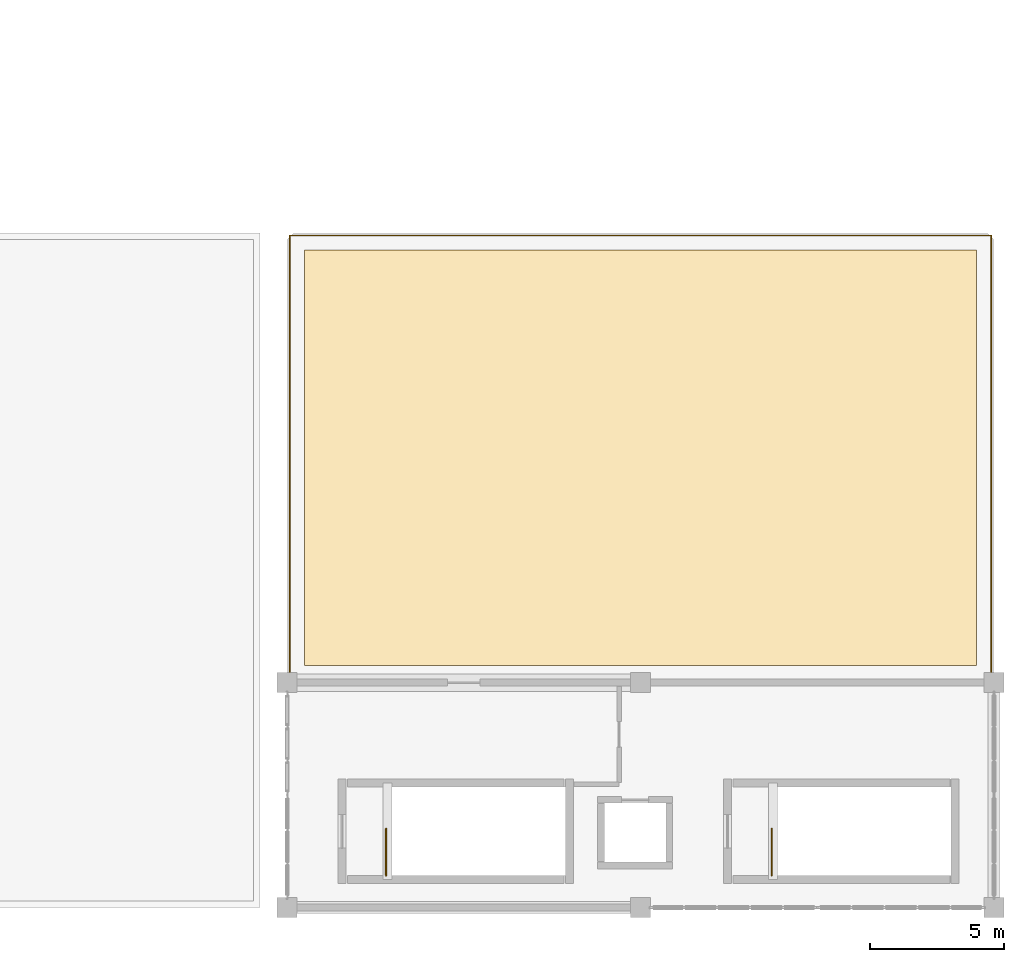
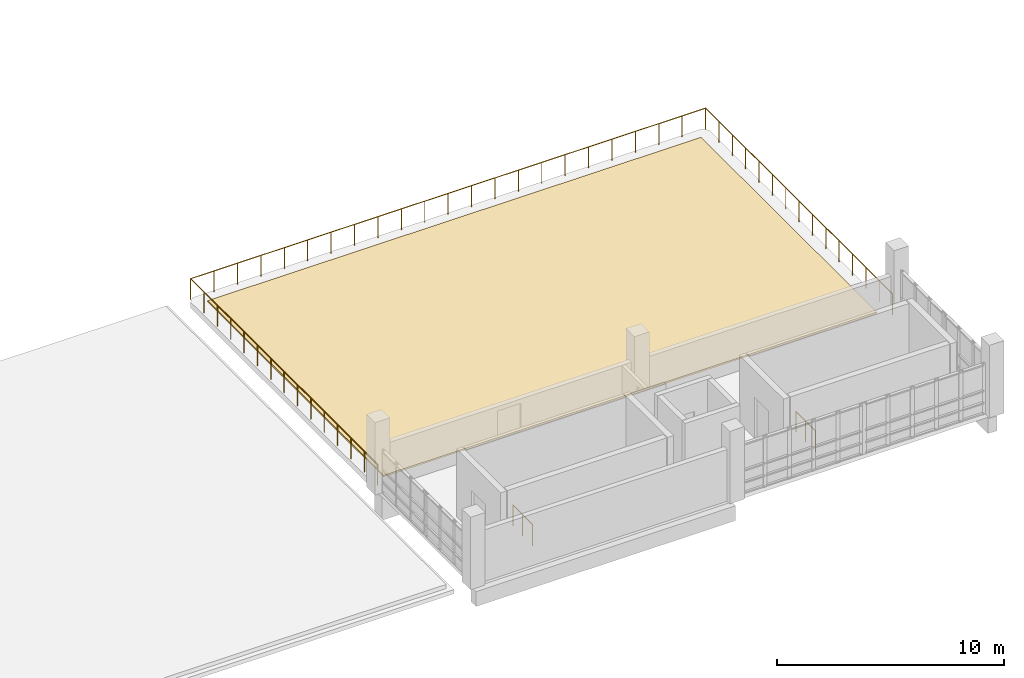
# One storey, part 187 of 188: 3 railings, 1 covering.
"""IFC4 building model written with IfcOpenShell, lengths in metres."""

from ifc_helpers import new_model, si_unit, direction, frame, origin, origin_2d, place, context, subcontext, project, spatial, polyline, circle, outline, extrude, material, layer, layer_set, type_object, element, save


model = new_model("IFC4")

# Units and contexts
model_context = context("Model", 3, precision=1e-05, world=origin(), true_north=direction((0.0, 1.0)))
body_context = subcontext(model_context, "Body", "Model", "MODEL_VIEW")
ifc_project = project(units=[si_unit("LENGTHUNIT", "METRE"), si_unit("AREAUNIT", "SQUARE_METRE"), si_unit("VOLUMEUNIT", "CUBIC_METRE"), si_unit("PLANEANGLEUNIT", "RADIAN"), si_unit("MASSUNIT", "GRAM", prefix="KILO")], contexts=[model_context])

# Site, building, storey
site_placement = place(None, origin())
site = spatial("IfcSite", under=ifc_project, at=site_placement, CompositionType="ELEMENT")
building_placement = place(site_placement, origin())
building = spatial("IfcBuilding", under=site, at=building_placement, Name="Kisaragi Civic Commons", CompositionType="ELEMENT")
storey_placement = place(building_placement, frame((0.0, 0.0, 9.60009765625)))
storey = spatial("IfcBuildingStorey", under=building, at=storey_placement, Name="L02", CompositionType="ELEMENT", Elevation=9.60009765625)

# Railings
ifc_material_1 = material(Name="Hot-dip galvanized and fluoropolymer-coated steel", Category="steel")
railing_type_1 = type_object("IfcRailingType", Name="GRD-E1", PredefinedType="GUARDRAIL", material=ifc_material_1)
railing_placement = place(storey_placement, frame((146.5, 8.6201171875, 0.0)))
element("IfcRailing", 1, at=railing_placement, inside=storey, type_object=railing_type_1, Name="V3 L02 terrace guardrail 6", PredefinedType="GUARDRAIL", context=body_context, shape_type="SweptSolid", body=[
    extrude(circle(Radius=0.02392578125, at=origin_2d()), frame((0.0, 0.0, 1.1259765625), z_axis=(0.0, 1.0, 0.0), x_axis=(-1.0, 0.0, 0.0)), (0.0, 0.0, 1.0), 16.47998046875),
    extrude(circle(Radius=0.02392578125, at=origin_2d()), frame((0.0, 16.47998046875, 1.1259765625), z_axis=(1.0, 0.0, 0.0), x_axis=(0.0, 1.0, 0.0)), (0.0, 0.0, 1.0), 26.199951171875),
    extrude(circle(Radius=0.02392578125, at=origin_2d()), frame((26.199951171875, 16.47998046875, 1.1259765625), z_axis=(0.0, -1.0, 0.0), x_axis=(1.0, 0.0, 0.0)), (0.0, 0.0, 1.0), 16.47998046875),
    extrude(circle(Radius=0.02099609375, at=origin_2d()), origin(), (0.0, 0.0, 1.0), 1.101806640625),
    extrude(circle(Radius=0.02099609375, at=origin_2d()), frame((0.0, 1.17724609375, 0.0)), (0.0, 0.0, 1.0), 1.101806640625),
    extrude(circle(Radius=0.02099609375, at=origin_2d()), frame((0.0, 2.354248046875, 0.0)), (0.0, 0.0, 1.0), 1.101806640625),
    extrude(circle(Radius=0.02099609375, at=origin_2d()), frame((0.0, 3.531494140625, 0.0)), (0.0, 0.0, 1.0), 1.101806640625),
    extrude(circle(Radius=0.02099609375, at=origin_2d()), frame((0.0, 4.70849609375, 0.0)), (0.0, 0.0, 1.0), 1.101806640625),
    extrude(circle(Radius=0.02099609375, at=origin_2d()), frame((0.0, 5.8857421875, 0.0)), (0.0, 0.0, 1.0), 1.101806640625),
    extrude(circle(Radius=0.02099609375, at=origin_2d()), frame((0.0, 7.062744140625, 0.0)), (0.0, 0.0, 1.0), 1.101806640625),
    extrude(circle(Radius=0.02099609375, at=origin_2d()), frame((0.0, 8.239990234375, 0.0)), (0.0, 0.0, 1.0), 1.101806640625),
    extrude(circle(Radius=0.02099609375, at=origin_2d()), frame((0.0, 9.417236328125, 0.0)), (0.0, 0.0, 1.0), 1.101806640625),
    extrude(circle(Radius=0.02099609375, at=origin_2d()), frame((0.0, 10.59423828125, 0.0)), (0.0, 0.0, 1.0), 1.101806640625),
    extrude(circle(Radius=0.02099609375, at=origin_2d()), frame((0.0, 11.771484375, 0.0)), (0.0, 0.0, 1.0), 1.101806640625),
    extrude(circle(Radius=0.02099609375, at=origin_2d()), frame((0.0, 12.948486328125, 0.0)), (0.0, 0.0, 1.0), 1.101806640625),
    extrude(circle(Radius=0.02099609375, at=origin_2d()), frame((0.0, 14.125732421875, 0.0)), (0.0, 0.0, 1.0), 1.101806640625),
    extrude(circle(Radius=0.02099609375, at=origin_2d()), frame((0.0, 15.302734375, 0.0)), (0.0, 0.0, 1.0), 1.101806640625),
    extrude(circle(Radius=0.02099609375, at=origin_2d()), frame((0.0, 16.47998046875, 0.0)), (0.0, 0.0, 1.0), 1.101806640625),
    extrude(circle(Radius=0.02099609375, at=origin_2d()), frame((1.19091796875, 16.47998046875, 0.0)), (0.0, 0.0, 1.0), 1.101806640625),
    extrude(circle(Radius=0.02099609375, at=origin_2d()), frame((2.3818359375, 16.47998046875, 0.0)), (0.0, 0.0, 1.0), 1.101806640625),
    extrude(circle(Radius=0.02099609375, at=origin_2d()), frame((3.57275390625, 16.47998046875, 0.0)), (0.0, 0.0, 1.0), 1.101806640625),
    extrude(circle(Radius=0.02099609375, at=origin_2d()), frame((4.763671875, 16.47998046875, 0.0)), (0.0, 0.0, 1.0), 1.101806640625),
    extrude(circle(Radius=0.02099609375, at=origin_2d()), frame((5.95458984375, 16.47998046875, 0.0)), (0.0, 0.0, 1.0), 1.101806640625),
    extrude(circle(Radius=0.02099609375, at=origin_2d()), frame((7.1455078125, 16.47998046875, 0.0)), (0.0, 0.0, 1.0), 1.101806640625),
    extrude(circle(Radius=0.02099609375, at=origin_2d()), frame((8.33642578125, 16.47998046875, 0.0)), (0.0, 0.0, 1.0), 1.101806640625),
    extrude(circle(Radius=0.02099609375, at=origin_2d()), frame((9.52734375, 16.47998046875, 0.0)), (0.0, 0.0, 1.0), 1.101806640625),
    extrude(circle(Radius=0.02099609375, at=origin_2d()), frame((10.71826171875, 16.47998046875, 0.0)), (0.0, 0.0, 1.0), 1.101806640625),
    extrude(circle(Radius=0.02099609375, at=origin_2d()), frame((11.9091796875, 16.47998046875, 0.0)), (0.0, 0.0, 1.0), 1.101806640625),
    extrude(circle(Radius=0.02099609375, at=origin_2d()), frame((13.10009765625, 16.47998046875, 0.0)), (0.0, 0.0, 1.0), 1.101806640625),
    extrude(circle(Radius=0.02099609375, at=origin_2d()), frame((14.290771484375, 16.47998046875, 0.0)), (0.0, 0.0, 1.0), 1.101806640625),
    extrude(circle(Radius=0.02099609375, at=origin_2d()), frame((15.481689453125, 16.47998046875, 0.0)), (0.0, 0.0, 1.0), 1.101806640625),
    extrude(circle(Radius=0.02099609375, at=origin_2d()), frame((16.672607421875, 16.47998046875, 0.0)), (0.0, 0.0, 1.0), 1.101806640625),
    extrude(circle(Radius=0.02099609375, at=origin_2d()), frame((17.863525390625, 16.47998046875, 0.0)), (0.0, 0.0, 1.0), 1.101806640625),
    extrude(circle(Radius=0.02099609375, at=origin_2d()), frame((19.054443359375, 16.47998046875, 0.0)), (0.0, 0.0, 1.0), 1.101806640625),
    extrude(circle(Radius=0.02099609375, at=origin_2d()), frame((20.245361328125, 16.47998046875, 0.0)), (0.0, 0.0, 1.0), 1.101806640625),
    extrude(circle(Radius=0.02099609375, at=origin_2d()), frame((21.436279296875, 16.47998046875, 0.0)), (0.0, 0.0, 1.0), 1.101806640625),
    extrude(circle(Radius=0.02099609375, at=origin_2d()), frame((22.627197265625, 16.47998046875, 0.0)), (0.0, 0.0, 1.0), 1.101806640625),
    extrude(circle(Radius=0.02099609375, at=origin_2d()), frame((23.818115234375, 16.47998046875, 0.0)), (0.0, 0.0, 1.0), 1.101806640625),
    extrude(circle(Radius=0.02099609375, at=origin_2d()), frame((25.009033203125, 16.47998046875, 0.0)), (0.0, 0.0, 1.0), 1.101806640625),
    extrude(circle(Radius=0.02099609375, at=origin_2d()), frame((26.199951171875, 16.47998046875, 0.0)), (0.0, 0.0, 1.0), 1.101806640625),
    extrude(circle(Radius=0.02099609375, at=origin_2d()), frame((26.199951171875, 15.302734375, 0.0)), (0.0, 0.0, 1.0), 1.101806640625),
    extrude(circle(Radius=0.02099609375, at=origin_2d()), frame((26.199951171875, 14.125732421875, 0.0)), (0.0, 0.0, 1.0), 1.101806640625),
    extrude(circle(Radius=0.02099609375, at=origin_2d()), frame((26.199951171875, 12.948486328125, 0.0)), (0.0, 0.0, 1.0), 1.101806640625),
    extrude(circle(Radius=0.02099609375, at=origin_2d()), frame((26.199951171875, 11.771484375, 0.0)), (0.0, 0.0, 1.0), 1.101806640625),
    extrude(circle(Radius=0.02099609375, at=origin_2d()), frame((26.199951171875, 10.59423828125, 0.0)), (0.0, 0.0, 1.0), 1.101806640625),
    extrude(circle(Radius=0.02099609375, at=origin_2d()), frame((26.199951171875, 9.417236328125, 0.0)), (0.0, 0.0, 1.0), 1.101806640625),
    extrude(circle(Radius=0.02099609375, at=origin_2d()), frame((26.199951171875, 8.239990234375, 0.0)), (0.0, 0.0, 1.0), 1.101806640625),
    extrude(circle(Radius=0.02099609375, at=origin_2d()), frame((26.199951171875, 7.062744140625, 0.0)), (0.0, 0.0, 1.0), 1.101806640625),
    extrude(circle(Radius=0.02099609375, at=origin_2d()), frame((26.199951171875, 5.8857421875, 0.0)), (0.0, 0.0, 1.0), 1.101806640625),
    extrude(circle(Radius=0.02099609375, at=origin_2d()), frame((26.199951171875, 4.70849609375, 0.0)), (0.0, 0.0, 1.0), 1.101806640625),
    extrude(circle(Radius=0.02099609375, at=origin_2d()), frame((26.199951171875, 3.531494140625, 0.0)), (0.0, 0.0, 1.0), 1.101806640625),
    extrude(circle(Radius=0.02099609375, at=origin_2d()), frame((26.199951171875, 2.354248046875, 0.0)), (0.0, 0.0, 1.0), 1.101806640625),
    extrude(circle(Radius=0.02099609375, at=origin_2d()), frame((26.199951171875, 1.17724609375, 0.0)), (0.0, 0.0, 1.0), 1.101806640625),
    extrude(circle(Radius=0.02099609375, at=origin_2d()), frame((26.199951171875, 0.0, 0.0)), (0.0, 0.0, 1.0), 1.101806640625),
])
ifc_material_2 = material(Name="Powder-coated architectural steel and hinoki cap rail", Category="steel")
railing_type_2 = type_object("IfcRailingType", Name="GRD-S1", PredefinedType="GUARDRAIL", material=ifc_material_2)
for number, where, name in (
    (2, (150.10009765625, 1.199951171875, 0.0), "L02 ST-D1 top well guard 1"),
    (3, (164.5, 1.199951171875, 0.0), "L02 ST-D2 top well guard 1"),
):
    element("IfcRailing", number, at=place(storey_placement, frame(where)), inside=storey, type_object=railing_type_2, Name=name, PredefinedType="GUARDRAIL", context=body_context, shape_type="SweptSolid", body=[
        extrude(circle(Radius=0.02392578125, at=origin_2d()), frame((0.0, 0.0, 1.1259765625), z_axis=(0.0, 1.0, 0.0), x_axis=(-1.0, 0.0, 0.0)), (0.0, 0.0, 1.0), 1.75),
        extrude(circle(Radius=0.02099609375, at=origin_2d()), origin(), (0.0, 0.0, 1.0), 1.101806640625),
        extrude(circle(Radius=0.02099609375, at=origin_2d()), frame((0.0, 0.875, 0.0)), (0.0, 0.0, 1.0), 1.101806640625),
        extrude(circle(Radius=0.02099609375, at=origin_2d()), frame((0.0, 1.75, 0.0)), (0.0, 0.0, 1.0), 1.101806640625),
    ])

# Covering
ifc_material_3 = material(Name="Extensive sedum planted roof assembly")
ifc_layer = layer(ifc_material_3, 0.0849609375, Name="Extensive sedum planted roof assembly")
ifc_layer_set = layer_set([ifc_layer], Name="Extensive sedum planted roof assembly")
covering_type = type_object("IfcCoveringType", Name="RFG-02", PredefinedType="ROOFING", material=ifc_layer_set)
covering_placement = place(storey_placement, origin())
element("IfcCovering", 4, at=covering_placement, inside=storey, type_object=covering_type, Name="V3 L02 planted terrace sedum covering", PredefinedType="ROOFING", context=body_context, shape_type="SweptSolid", body=[
    extrude(outline(polyline([(147.050048828125, 9.050048828125), (147.050048828125, 24.550048828125), (172.14990234375, 24.550048828125), (172.14990234375, 9.050048828125), (147.050048828125, 9.050048828125)])), origin(), (0.0, 0.0, 1.0), 0.0849609375),
])

save(model, "model.ifc")
